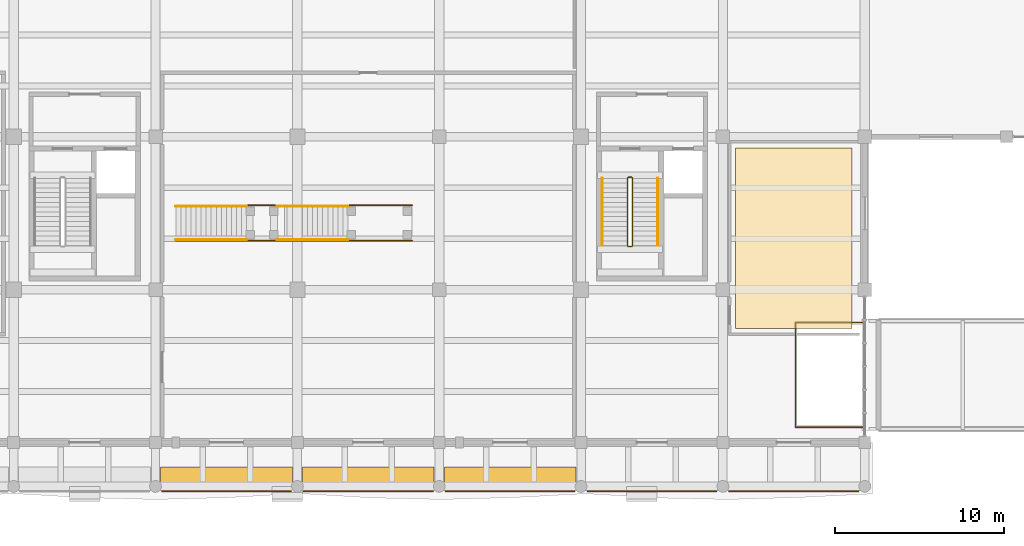
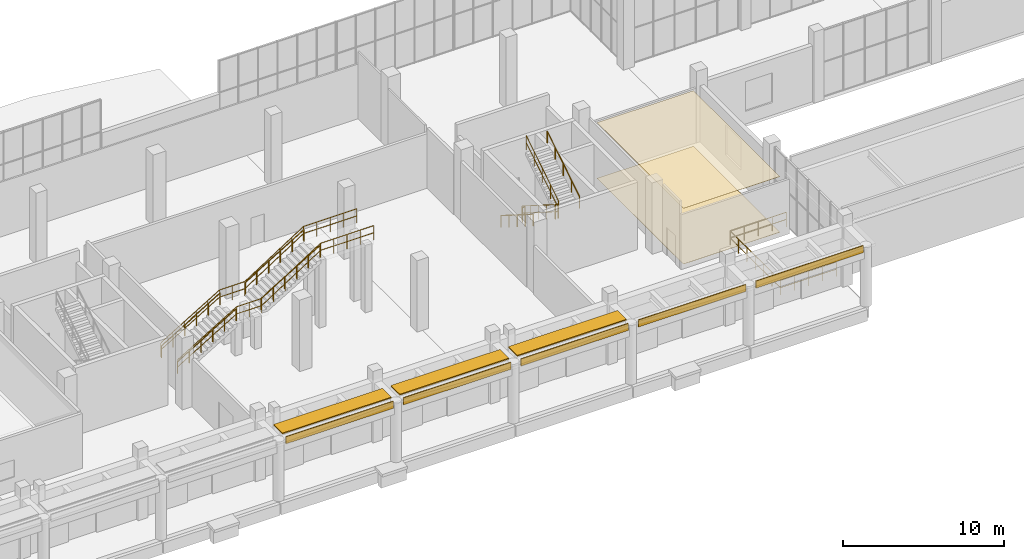
# One storey, part 87 of 91: 15 railings, 7 coverings, 3 shading devices.
"""IFC4 building model written with IfcOpenShell, lengths in metres."""

from ifc_helpers import new_model, si_unit, direction, frame, origin, origin_2d, place, context, subcontext, project, spatial, polyline, rectangle, circle, outline, extrude, material, layer, layer_set, type_object, element, save


model = new_model("IFC4")

# Units and contexts
model_context = context("Model", 3, precision=1e-05, world=origin(), true_north=direction((0.0, 1.0)))
body_context = subcontext(model_context, "Body", "Model", "MODEL_VIEW")
ifc_project = project(units=[si_unit("LENGTHUNIT", "METRE"), si_unit("AREAUNIT", "SQUARE_METRE"), si_unit("VOLUMEUNIT", "CUBIC_METRE"), si_unit("PLANEANGLEUNIT", "RADIAN"), si_unit("MASSUNIT", "GRAM", prefix="KILO")], contexts=[model_context])

# Site, building, storey
site_placement = place(None, origin())
site = spatial("IfcSite", under=ifc_project, at=site_placement, CompositionType="ELEMENT")
building_placement = place(site_placement, origin())
building = spatial("IfcBuilding", under=site, at=building_placement, Name="Khurvash Pelagic Aquarium", CompositionType="ELEMENT")
storey_placement = place(building_placement, origin())
storey = spatial("IfcBuildingStorey", under=building, at=storey_placement, Name="L00", CompositionType="ELEMENT", Elevation=0.0)

# Coverings
ifc_material_1 = material(Name="High-albedo white architectural GRC rainscreen", Category="concrete")
ifc_layer_1 = layer(ifc_material_1, 0.044921875)
ifc_layer_set_1 = layer_set([ifc_layer_1], Name="High-albedo white architectural GRC rainscreen")
covering_type_1 = type_object("IfcCoveringType", Name="CV-CL01", PredefinedType="CLADDING", material=ifc_layer_set_1)
covering_1_placement = place(storey_placement, frame((0.0, 0.0, 4.199951171875)))
element("IfcCovering", 1, at=covering_1_placement, inside=storey, type_object=covering_type_1, Name="L00 Boulevard Wave Canopy GRC Fascia Cladding CV-CL01 06", PredefinedType="CLADDING", context=body_context, shape_type="SweptSolid", body=[
    extrude(outline(polyline([(67.56005859375, -0.320068359375), (75.239990234375, -0.320068359375), (75.239990234375, -0.25), (67.56005859375, -0.25), (67.56005859375, -0.320068359375)])), origin(), (0.0, 0.0, 1.0), 0.52001953125),
])
covering_2_placement = place(storey_placement, frame((0.0, 0.0, 4.199951171875)))
element("IfcCovering", 2, at=covering_2_placement, inside=storey, type_object=covering_type_1, Name="L00 Boulevard Wave Canopy GRC Fascia Cladding CV-CL01 07", PredefinedType="CLADDING", context=body_context, shape_type="SweptSolid", body=[
    extrude(outline(polyline([(75.9599609375, -0.320068359375), (83.639892578125, -0.320068359375), (83.639892578125, -0.25), (75.9599609375, -0.25), (75.9599609375, -0.320068359375)])), origin(), (0.0, 0.0, 1.0), 0.52001953125),
])
covering_3_placement = place(storey_placement, frame((0.0, 0.0, 4.199951171875)))
element("IfcCovering", 3, at=covering_3_placement, inside=storey, type_object=covering_type_1, Name="L00 Boulevard Wave Canopy GRC Fascia Cladding CV-CL01 08", PredefinedType="CLADDING", context=body_context, shape_type="SweptSolid", body=[
    extrude(outline(polyline([(84.360107421875, -0.320068359375), (92.0400390625, -0.320068359375), (92.0400390625, -0.25), (84.360107421875, -0.25), (84.360107421875, -0.320068359375)])), origin(), (0.0, 0.0, 1.0), 0.52001953125),
])
covering_4_placement = place(storey_placement, frame((0.0, 0.0, 4.199951171875)))
element("IfcCovering", 4, at=covering_4_placement, inside=storey, type_object=covering_type_1, Name="L00 Boulevard Wave Canopy GRC Fascia Cladding CV-CL01 09", PredefinedType="CLADDING", context=body_context, shape_type="SweptSolid", body=[
    extrude(outline(polyline([(92.760009765625, -0.320068359375), (100.43994140625, -0.320068359375), (100.43994140625, -0.25), (92.760009765625, -0.25), (92.760009765625, -0.320068359375)])), origin(), (0.0, 0.0, 1.0), 0.52001953125),
])
covering_5_placement = place(storey_placement, frame((0.0, 0.0, 4.199951171875)))
element("IfcCovering", 5, at=covering_5_placement, inside=storey, type_object=covering_type_1, Name="L00 Boulevard Wave Canopy GRC Fascia Cladding CV-CL01 10", PredefinedType="CLADDING", context=body_context, shape_type="SweptSolid", body=[
    extrude(outline(polyline([(101.159912109375, -0.320068359375), (108.840087890625, -0.320068359375), (108.840087890625, -0.25), (101.159912109375, -0.25), (101.159912109375, -0.320068359375)])), origin(), (0.0, 0.0, 1.0), 0.52001953125),
])
ifc_material_2 = material(Name="Moisture-resistant acoustic mineral-fibre ceiling", Category="finish")
ifc_layer_2 = layer(ifc_material_2, 0.02490234375)
ifc_layer_set_2 = layer_set([ifc_layer_2], Name="Moisture-resistant acoustic mineral-fibre ceiling")
covering_type_2 = type_object("IfcCoveringType", Name="CV-CLG", PredefinedType="CEILING", material=ifc_layer_set_2)
covering_6_placement = place(storey_placement, frame((0.0, 0.0, 4.205078125)))
element("IfcCovering", 6, at=covering_6_placement, inside=storey, type_object=covering_type_2, Name="L00 Cafeteria Preparation Kitchen Suspended Acoustic Ceiling", PredefinedType="CEILING", context=body_context, shape_type="SweptSolid", body=[
    extrude(outline(polyline([(108.449951171875, 9.35009765625), (108.449951171875, 20.050048828125), (101.550048828125, 20.050048828125), (101.550048828125, 9.35009765625), (108.449951171875, 9.35009765625)])), origin(), (0.0, 0.0, 1.0), 0.02490234375),
])
ifc_material_3 = material(Name="Slip-resistant terrazzo and epoxy resin flooring", Category="finish")
ifc_layer_3 = layer(ifc_material_3, 0.02001953125)
ifc_layer_set_3 = layer_set([ifc_layer_3], Name="Slip-resistant terrazzo and epoxy resin flooring")
covering_type_3 = type_object("IfcCoveringType", Name="CV-FLR", PredefinedType="FLOORING", material=ifc_layer_set_3)
covering_7_placement = place(storey_placement, origin())
element("IfcCovering", 7, at=covering_7_placement, inside=storey, type_object=covering_type_3, Name="L00 Cafeteria Preparation Kitchen Terrazzo Floor Finish", PredefinedType="FLOORING", context=body_context, shape_type="SweptSolid", body=[
    extrude(outline(polyline([(108.449951171875, 9.35009765625), (108.449951171875, 20.050048828125), (101.550048828125, 20.050048828125), (101.550048828125, 9.35009765625), (108.449951171875, 9.35009765625)])), origin(), (0.0, 0.0, 1.0), 0.02001953125),
])

# Railings
ifc_material_4 = material(Name="Powder-coated galvanised steel S355J2", Category="steel")
railing_type_1 = type_object("IfcRailingType", Name="GR-01", PredefinedType="GUARDRAIL", material=ifc_material_4)
for number, where, name in (
    (8, (105.10009765625, 3.5, 0.0), "L00 Ramp Throat Perimeter Guardrail"),
    (9, (105.10009765625, 9.699951171875, 0.0), "L00 Ramp Throat Perimeter Guardrail"),
):
    element("IfcRailing", number, at=place(storey_placement, frame(where)), inside=storey, type_object=railing_type_1, Name=name, PredefinedType="GUARDRAIL", context=body_context, shape_type="SweptSolid", body=[
        extrude(circle(Radius=0.02392578125, at=origin_2d()), frame((0.0, 0.0, 1.076171875), z_axis=(1.0, 0.0, 0.0), x_axis=(0.0, 1.0, 0.0)), (0.0, 0.0, 1.0), 4.0),
        extrude(circle(Radius=0.02392578125, at=origin_2d()), frame((0.0, 0.0, 0.5380859375), z_axis=(1.0, 0.0, 0.0), x_axis=(0.0, 1.0, 0.0)), (0.0, 0.0, 1.0), 4.0),
        extrude(circle(Radius=0.02099609375, at=origin_2d()), origin(), (0.0, 0.0, 1.0), 1.052001953125),
        extrude(circle(Radius=0.02099609375, at=origin_2d()), frame((1.0, 0.0, 0.0)), (0.0, 0.0, 1.0), 1.052001953125),
        extrude(circle(Radius=0.02099609375, at=origin_2d()), frame((2.0, 0.0, 0.0)), (0.0, 0.0, 1.0), 1.052001953125),
        extrude(circle(Radius=0.02099609375, at=origin_2d()), frame((3.0, 0.0, 0.0)), (0.0, 0.0, 1.0), 1.052001953125),
        extrude(circle(Radius=0.02099609375, at=origin_2d()), frame((4.0, 0.0, 0.0)), (0.0, 0.0, 1.0), 1.052001953125),
    ])
railing_1_placement = place(storey_placement, frame((105.10009765625, 3.5, 0.0)))
element("IfcRailing", 10, at=railing_1_placement, inside=storey, type_object=railing_type_1, Name="L00 Ramp Throat Perimeter Guardrail", PredefinedType="GUARDRAIL", context=body_context, shape_type="SweptSolid", body=[
    extrude(circle(Radius=0.02392578125, at=origin_2d()), frame((0.0, 0.0, 1.076171875), z_axis=(0.0, 1.0, 0.0), x_axis=(-1.0, 0.0, 0.0)), (0.0, 0.0, 1.0), 6.199951171875),
    extrude(circle(Radius=0.02392578125, at=origin_2d()), frame((0.0, 0.0, 0.5380859375), z_axis=(0.0, 1.0, 0.0), x_axis=(-1.0, 0.0, 0.0)), (0.0, 0.0, 1.0), 6.199951171875),
    extrude(circle(Radius=0.02099609375, at=origin_2d()), origin(), (0.0, 0.0, 1.0), 1.052001953125),
    extrude(circle(Radius=0.02099609375, at=origin_2d()), frame((0.0, 1.033203125, 0.0)), (0.0, 0.0, 1.0), 1.052001953125),
    extrude(circle(Radius=0.02099609375, at=origin_2d()), frame((0.0, 2.066650390625, 0.0)), (0.0, 0.0, 1.0), 1.052001953125),
    extrude(circle(Radius=0.02099609375, at=origin_2d()), frame((0.0, 3.10009765625, 0.0)), (0.0, 0.0, 1.0), 1.052001953125),
    extrude(circle(Radius=0.02099609375, at=origin_2d()), frame((0.0, 4.13330078125, 0.0)), (0.0, 0.0, 1.0), 1.052001953125),
    extrude(circle(Radius=0.02099609375, at=origin_2d()), frame((0.0, 5.16650390625, 0.0)), (0.0, 0.0, 1.0), 1.052001953125),
    extrude(circle(Radius=0.02099609375, at=origin_2d()), frame((0.0, 6.199951171875, 0.0)), (0.0, 0.0, 1.0), 1.052001953125),
])
railing_2_placement = place(storey_placement, frame((95.14990234375, 18.25, 0.179931640625)))
element("IfcRailing", 11, at=railing_2_placement, inside=storey, type_object=railing_type_1, Name="L00 ST-03 stair guard 1", PredefinedType="GUARDRAIL", context=body_context, shape_type="SweptSolid", body=[
    extrude(circle(Radius=0.02392578125, at=origin_2d()), frame((0.0, 0.0, 1.076171875), z_axis=(0.0, -0.845486444383, 0.533996884227), x_axis=(1.0, 0.0, 0.0)), (0.0, 0.0, 1.0), 4.71923828125),
    extrude(circle(Radius=0.02392578125, at=origin_2d()), frame((0.0, 0.0, 0.5380859375), z_axis=(0.0, -0.845486444383, 0.533996884227), x_axis=(1.0, 0.0, 0.0)), (0.0, 0.0, 1.0), 4.71923828125),
    extrude(circle(Radius=0.02099609375, at=origin_2d()), origin(), (0.0, 0.0, 1.0), 1.052001953125),
    extrude(circle(Radius=0.02099609375, at=origin_2d()), frame((0.0, -0.99755859375, 0.6298828125)), (0.0, 0.0, 1.0), 1.052001953125),
    extrude(circle(Radius=0.02099609375, at=origin_2d()), frame((0.0, -1.9951171875, 1.260009765625)), (0.0, 0.0, 1.0), 1.052001953125),
    extrude(circle(Radius=0.02099609375, at=origin_2d()), frame((0.0, -2.992431640625, 1.89013671875)), (0.0, 0.0, 1.0), 1.052001953125),
    extrude(circle(Radius=0.02099609375, at=origin_2d()), frame((0.0, -3.989990234375, 2.52001953125)), (0.0, 0.0, 1.0), 1.052001953125),
])
railing_3_placement = place(storey_placement, frame((95.199951171875, 14.2099609375, 2.699951171875)))
element("IfcRailing", 12, at=railing_3_placement, inside=storey, type_object=railing_type_1, Name="L00 ST-03 stair guard 2", PredefinedType="GUARDRAIL", context=body_context, shape_type="SweptSolid", body=[
    extrude(circle(Radius=0.02392578125, at=origin_2d()), frame((0.0, 0.0, 1.076171875), z_axis=(1.0, 0.0, 0.0), x_axis=(0.0, 1.0, 0.0)), (0.0, 0.0, 1.0), 0.199951171875),
    extrude(circle(Radius=0.02392578125, at=origin_2d()), frame((0.0, 0.0, 0.5380859375), z_axis=(1.0, 0.0, 0.0), x_axis=(0.0, 1.0, 0.0)), (0.0, 0.0, 1.0), 0.199951171875),
    extrude(circle(Radius=0.02099609375, at=origin_2d()), origin(), (0.0, 0.0, 1.0), 1.052001953125),
    extrude(circle(Radius=0.02099609375, at=origin_2d()), frame((0.199951171875, 0.0, 0.0)), (0.0, 0.0, 1.0), 1.052001953125),
])
railing_4_placement = place(storey_placement, frame((95.449951171875, 14.260009765625, 2.8798828125)))
element("IfcRailing", 13, at=railing_4_placement, inside=storey, type_object=railing_type_1, Name="L00 ST-03 stair guard 3", PredefinedType="GUARDRAIL", context=body_context, shape_type="SweptSolid", body=[
    extrude(circle(Radius=0.02392578125, at=origin_2d()), frame((0.0, 0.0, 1.076171875), z_axis=(0.0, 0.845486444383, 0.533996884227), x_axis=(-1.0, 0.0, 0.0)), (0.0, 0.0, 1.0), 4.71923828125),
    extrude(circle(Radius=0.02392578125, at=origin_2d()), frame((0.0, 0.0, 0.5380859375), z_axis=(0.0, 0.845486444383, 0.533996884227), x_axis=(-1.0, 0.0, 0.0)), (0.0, 0.0, 1.0), 4.71923828125),
    extrude(circle(Radius=0.02099609375, at=origin_2d()), origin(), (0.0, 0.0, 1.0), 1.052001953125),
    extrude(circle(Radius=0.02099609375, at=origin_2d()), frame((0.0, 0.99755859375, 0.6298828125)), (0.0, 0.0, 1.0), 1.052001953125),
    extrude(circle(Radius=0.02099609375, at=origin_2d()), frame((0.0, 1.9951171875, 1.260009765625)), (0.0, 0.0, 1.0), 1.052001953125),
    extrude(circle(Radius=0.02099609375, at=origin_2d()), frame((0.0, 2.992431640625, 1.89013671875)), (0.0, 0.0, 1.0), 1.052001953125),
    extrude(circle(Radius=0.02099609375, at=origin_2d()), frame((0.0, 3.989990234375, 2.52001953125)), (0.0, 0.0, 1.0), 1.052001953125),
])
railing_5_placement = place(storey_placement, frame((95.199951171875, 18.300048828125, 0.0)))
element("IfcRailing", 14, at=railing_5_placement, inside=storey, type_object=railing_type_1, Name="L00 ST-03 stair guard 4", PredefinedType="GUARDRAIL", context=body_context, shape_type="SweptSolid", body=[
    extrude(circle(Radius=0.02392578125, at=origin_2d()), frame((0.0, 0.0, 1.076171875), z_axis=(1.0, 0.0, 0.0), x_axis=(0.0, 1.0, 0.0)), (0.0, 0.0, 1.0), 0.199951171875),
    extrude(circle(Radius=0.02392578125, at=origin_2d()), frame((0.0, 0.0, 0.5380859375), z_axis=(1.0, 0.0, 0.0), x_axis=(0.0, 1.0, 0.0)), (0.0, 0.0, 1.0), 0.199951171875),
    extrude(circle(Radius=0.02099609375, at=origin_2d()), origin(), (0.0, 0.0, 1.0), 1.052001953125),
    extrude(circle(Radius=0.02099609375, at=origin_2d()), frame((0.199951171875, 0.0, 0.0)), (0.0, 0.0, 1.0), 1.052001953125),
])
railing_6_placement = place(storey_placement, frame((68.39990234375, 14.550048828125, 0.179931640625)))
element("IfcRailing", 15, at=railing_6_placement, inside=storey, type_object=railing_type_1, Name="L00 Feature Stair ST-07 Guardrail", PredefinedType="GUARDRAIL", context=body_context, shape_type="SweptSolid", body=[
    extrude(circle(Radius=0.02392578125, at=origin_2d()), frame((0.0, 0.0, 1.076171875), z_axis=(0.857501721439, 0.0, 0.514481095599), x_axis=(0.0, 1.0, 0.0)), (0.0, 0.0, 1.0), 4.898193359375),
    extrude(circle(Radius=0.02392578125, at=origin_2d()), frame((0.0, 0.0, 0.5380859375), z_axis=(0.857501721439, 0.0, 0.514481095599), x_axis=(0.0, 1.0, 0.0)), (0.0, 0.0, 1.0), 4.898193359375),
    extrude(circle(Radius=0.02392578125, at=origin_2d()), frame((4.2001953125, 0.0, 3.59619140625), z_axis=(1.0, 0.0, 0.0), x_axis=(0.0, 1.0, 0.0)), (0.0, 0.0, 1.0), 1.7998046875),
    extrude(circle(Radius=0.02392578125, at=origin_2d()), frame((4.2001953125, 0.0, 3.05810546875), z_axis=(1.0, 0.0, 0.0), x_axis=(0.0, 1.0, 0.0)), (0.0, 0.0, 1.0), 1.7998046875),
    extrude(circle(Radius=0.02392578125, at=origin_2d()), frame((6.0, 0.0, 3.59619140625), z_axis=(0.841194361566, 0.0, 0.540732878665), x_axis=(0.0, 1.0, 0.0)), (0.0, 0.0, 1.0), 4.9931640625),
    extrude(circle(Radius=0.02392578125, at=origin_2d()), frame((6.0, 0.0, 3.05810546875), z_axis=(0.841194361566, 0.0, 0.540732878665), x_axis=(0.0, 1.0, 0.0)), (0.0, 0.0, 1.0), 4.9931640625),
    extrude(circle(Radius=0.02392578125, at=origin_2d()), frame((10.2001953125, 0.0, 6.2958984375), z_axis=(1.0, 0.0, 0.0), x_axis=(0.0, 1.0, 0.0)), (0.0, 0.0, 1.0), 3.7998046875),
    extrude(circle(Radius=0.02392578125, at=origin_2d()), frame((10.2001953125, 0.0, 5.758056640625), z_axis=(1.0, 0.0, 0.0), x_axis=(0.0, 1.0, 0.0)), (0.0, 0.0, 1.0), 3.7998046875),
    extrude(circle(Radius=0.02099609375, at=origin_2d()), origin(), (0.0, 0.0, 1.0), 1.052001953125),
    extrude(circle(Radius=0.02099609375, at=origin_2d()), frame((0.840087890625, 0.0, 0.50390625)), (0.0, 0.0, 1.0), 1.052001953125),
    extrude(circle(Radius=0.02099609375, at=origin_2d()), frame((1.68017578125, 0.0, 1.008056640625)), (0.0, 0.0, 1.0), 1.052001953125),
    extrude(circle(Radius=0.02099609375, at=origin_2d()), frame((2.52001953125, 0.0, 1.511962890625)), (0.0, 0.0, 1.0), 1.052001953125),
    extrude(circle(Radius=0.02099609375, at=origin_2d()), frame((3.360107421875, 0.0, 2.01611328125)), (0.0, 0.0, 1.0), 1.052001953125),
    extrude(circle(Radius=0.02099609375, at=origin_2d()), frame((4.2001953125, 0.0, 2.52001953125)), (0.0, 0.0, 1.0), 1.052001953125),
    extrude(circle(Radius=0.02099609375, at=origin_2d()), frame((5.10009765625, 0.0, 2.52001953125)), (0.0, 0.0, 1.0), 1.052001953125),
    extrude(circle(Radius=0.02099609375, at=origin_2d()), frame((6.0, 0.0, 2.52001953125)), (0.0, 0.0, 1.0), 1.052001953125),
    extrude(circle(Radius=0.02099609375, at=origin_2d()), frame((6.840087890625, 0.0, 3.06005859375)), (0.0, 0.0, 1.0), 1.052001953125),
    extrude(circle(Radius=0.02099609375, at=origin_2d()), frame((7.68017578125, 0.0, 3.60009765625)), (0.0, 0.0, 1.0), 1.052001953125),
    extrude(circle(Radius=0.02099609375, at=origin_2d()), frame((8.52001953125, 0.0, 4.139892578125)), (0.0, 0.0, 1.0), 1.052001953125),
    extrude(circle(Radius=0.02099609375, at=origin_2d()), frame((9.360107421875, 0.0, 4.679931640625)), (0.0, 0.0, 1.0), 1.052001953125),
    extrude(circle(Radius=0.02099609375, at=origin_2d()), frame((10.2001953125, 0.0, 5.219970703125)), (0.0, 0.0, 1.0), 1.052001953125),
    extrude(circle(Radius=0.02099609375, at=origin_2d()), frame((11.150146484375, 0.0, 5.219970703125)), (0.0, 0.0, 1.0), 1.052001953125),
    extrude(circle(Radius=0.02099609375, at=origin_2d()), frame((12.10009765625, 0.0, 5.219970703125)), (0.0, 0.0, 1.0), 1.052001953125),
    extrude(circle(Radius=0.02099609375, at=origin_2d()), frame((13.050048828125, 0.0, 5.219970703125)), (0.0, 0.0, 1.0), 1.052001953125),
    extrude(circle(Radius=0.02099609375, at=origin_2d()), frame((14.0, 0.0, 5.219970703125)), (0.0, 0.0, 1.0), 1.052001953125),
])
railing_7_placement = place(storey_placement, frame((68.39990234375, 16.64990234375, 0.179931640625)))
element("IfcRailing", 16, at=railing_7_placement, inside=storey, type_object=railing_type_1, Name="L00 Feature Stair ST-07 Guardrail", PredefinedType="GUARDRAIL", context=body_context, shape_type="SweptSolid", body=[
    extrude(circle(Radius=0.02392578125, at=origin_2d()), frame((0.0, 0.0, 1.076171875), z_axis=(0.857501721439, 0.0, 0.514481095599), x_axis=(0.0, 1.0, 0.0)), (0.0, 0.0, 1.0), 4.898193359375),
    extrude(circle(Radius=0.02392578125, at=origin_2d()), frame((0.0, 0.0, 0.5380859375), z_axis=(0.857501721439, 0.0, 0.514481095599), x_axis=(0.0, 1.0, 0.0)), (0.0, 0.0, 1.0), 4.898193359375),
    extrude(circle(Radius=0.02392578125, at=origin_2d()), frame((4.2001953125, 0.0, 3.59619140625), z_axis=(1.0, 0.0, 0.0), x_axis=(0.0, 1.0, 0.0)), (0.0, 0.0, 1.0), 1.7998046875),
    extrude(circle(Radius=0.02392578125, at=origin_2d()), frame((4.2001953125, 0.0, 3.05810546875), z_axis=(1.0, 0.0, 0.0), x_axis=(0.0, 1.0, 0.0)), (0.0, 0.0, 1.0), 1.7998046875),
    extrude(circle(Radius=0.02392578125, at=origin_2d()), frame((6.0, 0.0, 3.59619140625), z_axis=(0.841194361566, 0.0, 0.540732878665), x_axis=(0.0, 1.0, 0.0)), (0.0, 0.0, 1.0), 4.9931640625),
    extrude(circle(Radius=0.02392578125, at=origin_2d()), frame((6.0, 0.0, 3.05810546875), z_axis=(0.841194361566, 0.0, 0.540732878665), x_axis=(0.0, 1.0, 0.0)), (0.0, 0.0, 1.0), 4.9931640625),
    extrude(circle(Radius=0.02392578125, at=origin_2d()), frame((10.2001953125, 0.0, 6.2958984375), z_axis=(1.0, 0.0, 0.0), x_axis=(0.0, 1.0, 0.0)), (0.0, 0.0, 1.0), 3.7998046875),
    extrude(circle(Radius=0.02392578125, at=origin_2d()), frame((10.2001953125, 0.0, 5.758056640625), z_axis=(1.0, 0.0, 0.0), x_axis=(0.0, 1.0, 0.0)), (0.0, 0.0, 1.0), 3.7998046875),
    extrude(circle(Radius=0.02099609375, at=origin_2d()), origin(), (0.0, 0.0, 1.0), 1.052001953125),
    extrude(circle(Radius=0.02099609375, at=origin_2d()), frame((0.840087890625, 0.0, 0.50390625)), (0.0, 0.0, 1.0), 1.052001953125),
    extrude(circle(Radius=0.02099609375, at=origin_2d()), frame((1.68017578125, 0.0, 1.008056640625)), (0.0, 0.0, 1.0), 1.052001953125),
    extrude(circle(Radius=0.02099609375, at=origin_2d()), frame((2.52001953125, 0.0, 1.511962890625)), (0.0, 0.0, 1.0), 1.052001953125),
    extrude(circle(Radius=0.02099609375, at=origin_2d()), frame((3.360107421875, 0.0, 2.01611328125)), (0.0, 0.0, 1.0), 1.052001953125),
    extrude(circle(Radius=0.02099609375, at=origin_2d()), frame((4.2001953125, 0.0, 2.52001953125)), (0.0, 0.0, 1.0), 1.052001953125),
    extrude(circle(Radius=0.02099609375, at=origin_2d()), frame((5.10009765625, 0.0, 2.52001953125)), (0.0, 0.0, 1.0), 1.052001953125),
    extrude(circle(Radius=0.02099609375, at=origin_2d()), frame((6.0, 0.0, 2.52001953125)), (0.0, 0.0, 1.0), 1.052001953125),
    extrude(circle(Radius=0.02099609375, at=origin_2d()), frame((6.840087890625, 0.0, 3.06005859375)), (0.0, 0.0, 1.0), 1.052001953125),
    extrude(circle(Radius=0.02099609375, at=origin_2d()), frame((7.68017578125, 0.0, 3.60009765625)), (0.0, 0.0, 1.0), 1.052001953125),
    extrude(circle(Radius=0.02099609375, at=origin_2d()), frame((8.52001953125, 0.0, 4.139892578125)), (0.0, 0.0, 1.0), 1.052001953125),
    extrude(circle(Radius=0.02099609375, at=origin_2d()), frame((9.360107421875, 0.0, 4.679931640625)), (0.0, 0.0, 1.0), 1.052001953125),
    extrude(circle(Radius=0.02099609375, at=origin_2d()), frame((10.2001953125, 0.0, 5.219970703125)), (0.0, 0.0, 1.0), 1.052001953125),
    extrude(circle(Radius=0.02099609375, at=origin_2d()), frame((11.150146484375, 0.0, 5.219970703125)), (0.0, 0.0, 1.0), 1.052001953125),
    extrude(circle(Radius=0.02099609375, at=origin_2d()), frame((12.10009765625, 0.0, 5.219970703125)), (0.0, 0.0, 1.0), 1.052001953125),
    extrude(circle(Radius=0.02099609375, at=origin_2d()), frame((13.050048828125, 0.0, 5.219970703125)), (0.0, 0.0, 1.0), 1.052001953125),
    extrude(circle(Radius=0.02099609375, at=origin_2d()), frame((14.0, 0.0, 5.219970703125)), (0.0, 0.0, 1.0), 1.052001953125),
])
ifc_material_5 = material(Name="Brushed stainless steel 316", Category="steel")
railing_type_2 = type_object("IfcRailingType", Name="HR-01", PredefinedType="HANDRAIL", material=ifc_material_5)
railing_8_placement = place(storey_placement, frame((93.64990234375, 18.25, 0.179931640625)))
element("IfcRailing", 17, at=railing_8_placement, inside=storey, type_object=railing_type_2, Name="L00 ST-03 stair handrail 1", PredefinedType="HANDRAIL", context=body_context, shape_type="SweptSolid", body=[
    extrude(circle(Radius=0.02392578125, at=origin_2d()), frame((0.0, 0.0, 0.8759765625), z_axis=(0.0, -0.845486444383, 0.533996884227), x_axis=(1.0, 0.0, 0.0)), (0.0, 0.0, 1.0), 4.71923828125),
    extrude(circle(Radius=0.02099609375, at=origin_2d()), origin(), (0.0, 0.0, 1.0), 0.851806640625),
    extrude(circle(Radius=0.02099609375, at=origin_2d()), frame((0.0, -0.99755859375, 0.6298828125)), (0.0, 0.0, 1.0), 0.851806640625),
    extrude(circle(Radius=0.02099609375, at=origin_2d()), frame((0.0, -1.9951171875, 1.260009765625)), (0.0, 0.0, 1.0), 0.851806640625),
    extrude(circle(Radius=0.02099609375, at=origin_2d()), frame((0.0, -2.992431640625, 1.89013671875)), (0.0, 0.0, 1.0), 0.851806640625),
    extrude(circle(Radius=0.02099609375, at=origin_2d()), frame((0.0, -3.989990234375, 2.52001953125)), (0.0, 0.0, 1.0), 0.851806640625),
])
railing_9_placement = place(storey_placement, frame((96.949951171875, 14.260009765625, 2.8798828125)))
element("IfcRailing", 18, at=railing_9_placement, inside=storey, type_object=railing_type_2, Name="L00 ST-03 stair handrail 2", PredefinedType="HANDRAIL", context=body_context, shape_type="SweptSolid", body=[
    extrude(circle(Radius=0.02392578125, at=origin_2d()), frame((0.0, 0.0, 0.8759765625), z_axis=(0.0, 0.845486444383, 0.533996884227), x_axis=(-1.0, 0.0, 0.0)), (0.0, 0.0, 1.0), 4.71923828125),
    extrude(circle(Radius=0.02099609375, at=origin_2d()), origin(), (0.0, 0.0, 1.0), 0.851806640625),
    extrude(circle(Radius=0.02099609375, at=origin_2d()), frame((0.0, 0.99755859375, 0.6298828125)), (0.0, 0.0, 1.0), 0.851806640625),
    extrude(circle(Radius=0.02099609375, at=origin_2d()), frame((0.0, 1.9951171875, 1.260009765625)), (0.0, 0.0, 1.0), 0.851806640625),
    extrude(circle(Radius=0.02099609375, at=origin_2d()), frame((0.0, 2.992431640625, 1.89013671875)), (0.0, 0.0, 1.0), 0.851806640625),
    extrude(circle(Radius=0.02099609375, at=origin_2d()), frame((0.0, 3.989990234375, 2.52001953125)), (0.0, 0.0, 1.0), 0.851806640625),
])
for number, where, name in (
    (19, (68.39990234375, 14.610107421875, 0.179931640625), "L00 Feature Stair ST-07 Handrail 1"),
    (20, (74.39990234375, 14.610107421875, 2.8798828125), "L00 Feature Stair ST-07 Handrail 2"),
    (21, (68.39990234375, 16.590087890625, 0.179931640625), "L00 Feature Stair ST-07 Handrail 1"),
    (22, (74.39990234375, 16.590087890625, 2.8798828125), "L00 Feature Stair ST-07 Handrail 2"),
):
    element("IfcRailing", number, at=place(storey_placement, frame(where)), inside=storey, type_object=railing_type_2, Name=name, PredefinedType="HANDRAIL", context=body_context, shape_type="SweptSolid", body=[
        extrude(circle(Radius=0.02392578125, at=origin_2d()), frame((0.0, 0.0, 0.8759765625), z_axis=(0.857501721439, 0.0, 0.514481095599), x_axis=(0.0, 1.0, 0.0)), (0.0, 0.0, 1.0), 4.898193359375),
        extrude(circle(Radius=0.02099609375, at=origin_2d()), origin(), (0.0, 0.0, 1.0), 0.851806640625),
        extrude(circle(Radius=0.02099609375, at=origin_2d()), frame((0.840087890625, 0.0, 0.50390625)), (0.0, 0.0, 1.0), 0.851806640625),
        extrude(circle(Radius=0.02099609375, at=origin_2d()), frame((1.68017578125, 0.0, 1.008056640625)), (0.0, 0.0, 1.0), 0.851806640625),
        extrude(circle(Radius=0.02099609375, at=origin_2d()), frame((2.52001953125, 0.0, 1.511962890625)), (0.0, 0.0, 1.0), 0.851806640625),
        extrude(circle(Radius=0.02099609375, at=origin_2d()), frame((3.360107421875, 0.0, 2.01611328125)), (0.0, 0.0, 1.0), 0.851806640625),
        extrude(circle(Radius=0.02099609375, at=origin_2d()), frame((4.2001953125, 0.0, 2.52001953125)), (0.0, 0.0, 1.0), 0.851806640625),
    ])

# Shading devices
ifc_material_6 = material(Name="Anodised aluminium solar canopy", Category="aluminium")
ifc_layer_4 = layer(ifc_material_6, 0.080078125)
ifc_layer_set_4 = layer_set([ifc_layer_4], Name="Anodised aluminium solar canopy")
shading_device_type = type_object("IfcShadingDeviceType", Name="SH-AWN", PredefinedType="AWNING", material=ifc_layer_set_4)
for number, where, z_axis, x_axis, name in (
    (23, (71.39990234375, 0.60009765625, 4.71484375), (0.0, 0.0, 1.0), (1.0, 0.0, 0.0), "L00 Boulevard Arcade Solar Awning Canopy SH-AWN 05"),
    (24, (79.800048828125, 0.60009765625, 4.71484375), (0.0, 0.0, 1.0), (1.0, 0.0, 0.0), "L00 Boulevard Arcade Solar Awning Canopy SH-AWN 06"),
    (25, (88.199951171875, 0.60009765625, 4.71484375), (0.0, 0.0, 1.0), (1.0, 0.0, 0.0), "L00 Boulevard Arcade Solar Awning Canopy SH-AWN 07"),
):
    element("IfcShadingDevice", number, at=place(storey_placement, frame(where, z_axis=z_axis, x_axis=x_axis)), inside=storey, type_object=shading_device_type, Name=name, PredefinedType="AWNING", context=body_context, shape_type="SweptSolid", body=[
        extrude(rectangle(XDim=7.800048828125, YDim=1.10009765625, at=origin_2d()), origin(), (0.0, 0.0, 1.0), 0.080078125),
    ])

save(model, "model.ifc")
